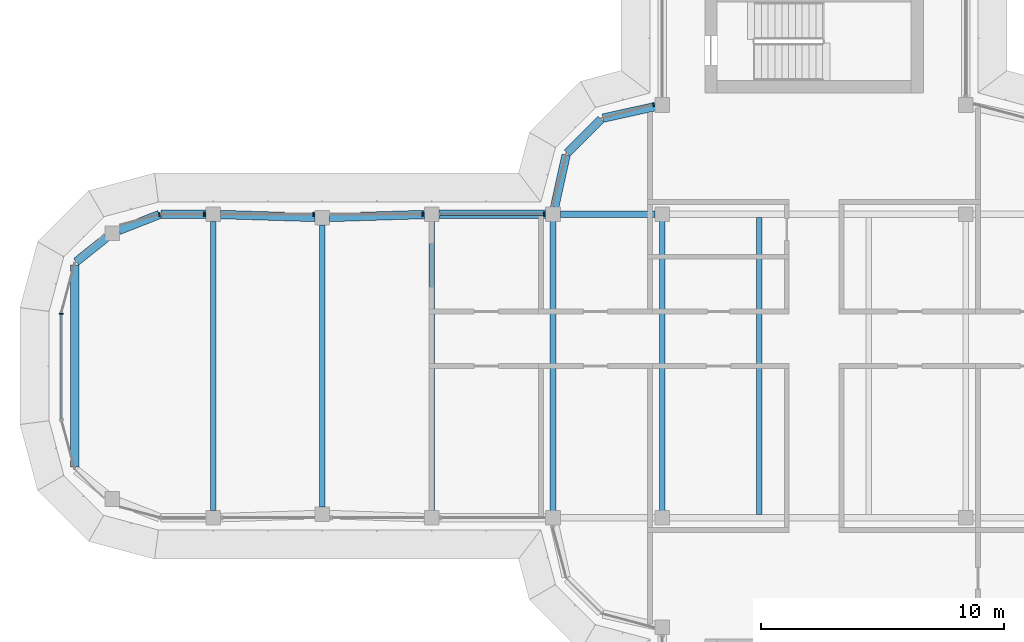
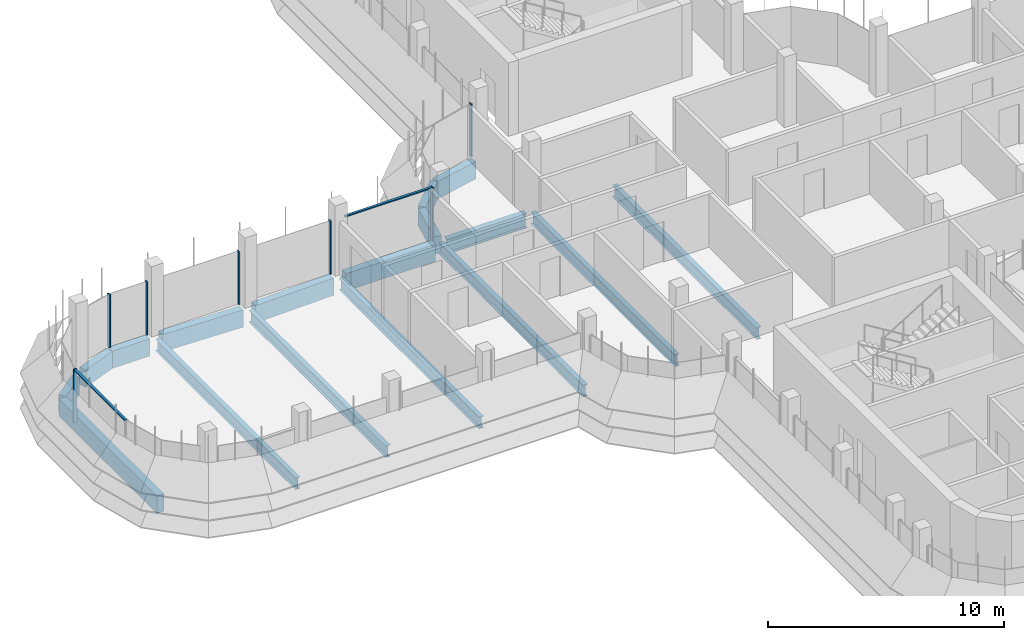
# One storey, part 6 of 19: 17 beams, 9 members, 4 elements without a shape of their own.
"""IFC4 building model written with IfcOpenShell, lengths in metres."""

import ifcopenshell
import ifcopenshell.guid

model = None  # the IFC model being written
_history = None  # IfcOwnerHistory: only IFC2X3 demands one
_inside = {}  # id of a spatial element -> (the spatial element, [elements in it])
_under = {}  # id of a project, library or spatial element -> (it, [spatial elements below it])
_declared = {}  # id of a project -> (the project, [libraries it declares])
_typed = {}  # id of a type object -> (the type object, [elements of that type])
_made_of = {}  # id of a material, layer set ... -> (it, [elements and type objects made of it])


def new_model(schema):
    """Start an empty IFC model of exactly this schema.

    Asked for "IFC4X3", IfcOpenShell would pick the latest addendum, in which some entities
    have other attributes; the version numbers below select the first issue.
    IFC2X3 requires an IfcOwnerHistory on every rooted entity: one is made here for all.
    """
    global model, _history
    if schema == "IFC4X3":
        model = ifcopenshell.file(schema_version=(4, 3, 0, 0))
    else:
        model = ifcopenshell.file(schema=schema)
    _inside.clear()
    _under.clear()
    _declared.clear()
    _typed.clear()
    _made_of.clear()
    _history = None
    if model.schema == "IFC2X3":
        org = make("IfcOrganization", Name="unknown")
        user = make(
            "IfcPersonAndOrganization",
            ThePerson=make("IfcPerson", FamilyName="unknown"),
            TheOrganization=org,
        )
        app = make(
            "IfcApplication",
            ApplicationDeveloper=org,
            Version="unknown",
            ApplicationFullName="unknown",
            ApplicationIdentifier="unknown",
        )
        _history = make(
            "IfcOwnerHistory",
            OwningUser=user,
            OwningApplication=app,
            ChangeAction="ADDED",
            CreationDate=0,
        )
    return model


def make(cls, **values):
    """One entity of the class cls with the attributes given. An attribute that is None is left unset."""
    return model.create_entity(
        cls, **{name: value for name, value in values.items() if value is not None}
    )


def rooted(cls, **values):
    """An entity with a GlobalId (a new one), such as an element, a storey or a relation."""
    return make(cls, GlobalId=ifcopenshell.guid.new(), OwnerHistory=_history, **values)


def si_unit(unit_type, name, prefix=None):
    """IfcSIUnit, for example si_unit("LENGTHUNIT", "METRE", prefix="MILLI")."""
    return make("IfcSIUnit", UnitType=unit_type, Prefix=prefix, Name=name)


def assignment(units):
    """IfcUnitAssignment: the units of a project."""
    return None if units is None else make("IfcUnitAssignment", Units=units)


def point(xyz):
    """IfcCartesianPoint."""
    return None if xyz is None else make("IfcCartesianPoint", Coordinates=xyz)


def direction(xyz):
    """IfcDirection."""
    return None if xyz is None else make("IfcDirection", DirectionRatios=xyz)


def frame(location, z_axis=None, x_axis=None):
    """IfcAxis2Placement3D, a coordinate frame: its origin and axes. An axis left out is left unset."""
    return make(
        "IfcAxis2Placement3D",
        Location=point(location),
        Axis=direction(z_axis),
        RefDirection=direction(x_axis),
    )


def frame_2d(location, x_axis=None):
    """IfcAxis2Placement2D, a coordinate frame in the plane: its origin and x axis."""
    return make(
        "IfcAxis2Placement2D", Location=point(location), RefDirection=direction(x_axis)
    )


def origin():
    """The frame at (0, 0, 0) with its axes left unset."""
    return frame((0.0, 0.0, 0.0))


def origin_2d():
    """The frame at (0, 0) in the plane with its x axis left unset."""
    return frame_2d((0.0, 0.0))


def place(relative_to, where):
    """IfcLocalPlacement: puts the frame where relative to a parent placement (None: the world)."""
    return make(
        "IfcLocalPlacement", PlacementRelTo=relative_to, RelativePlacement=where
    )


def context(
    kind, dimensions, precision=None, world=None, true_north=None, identifier=None
):
    """IfcGeometricRepresentationContext, for example the 3D "Model" context."""
    return make(
        "IfcGeometricRepresentationContext",
        ContextIdentifier=identifier,
        ContextType=kind,
        CoordinateSpaceDimension=dimensions,
        Precision=precision,
        WorldCoordinateSystem=world,
        TrueNorth=true_north,
    )


def subcontext(parent, identifier, kind, view, scale=None):
    """IfcGeometricRepresentationSubContext, for example "Body" below "Model"."""
    return make(
        "IfcGeometricRepresentationSubContext",
        ContextIdentifier=identifier,
        ContextType=kind,
        ParentContext=parent,
        TargetScale=scale,
        TargetView=view,
    )


def project(units=None, contexts=None):
    """IfcProject with its units and contexts."""
    return rooted(
        "IfcProject",
        Name="project",
        RepresentationContexts=contexts,
        UnitsInContext=assignment(units),
    )


def spatial(cls, under=None, at=None, **own):
    """A site, building, storey or space (cls), placed at a placement, below another one or the project."""
    s = rooted(cls, ObjectPlacement=at, **own)
    if under is not None:
        _under.setdefault(under.id(), (under, []))[1].append(s)
    return s


def polyline(points):
    """IfcPolyline through the points."""
    return make("IfcPolyline", Points=[point(p) for p in points])


def profile(cls, at=None, kind="AREA", **sizes):
    """A parametric profile (cls). Its sizes go by their IFC names, for example OverallWidth=200.0."""
    return make(cls, ProfileType=kind, Position=at, **sizes)


def rectangle(**sizes):
    """IfcRectangleProfileDef."""
    return profile("IfcRectangleProfileDef", **sizes)


def i_section(**sizes):
    """IfcIShapeProfileDef."""
    return profile("IfcIShapeProfileDef", **sizes)


def outline(outer, holes=None, kind="AREA"):
    """IfcArbitraryClosedProfileDef: a profile drawn as a closed curve; with holes, ...WithVoids."""
    if holes is None:
        return make("IfcArbitraryClosedProfileDef", ProfileType=kind, OuterCurve=outer)
    return make(
        "IfcArbitraryProfileDefWithVoids",
        ProfileType=kind,
        OuterCurve=outer,
        InnerCurves=holes,
    )


def extrude(swept, where, along, depth):
    """IfcExtrudedAreaSolid: the profile swept, set in the frame where, extruded along a direction by depth."""
    return make(
        "IfcExtrudedAreaSolid",
        SweptArea=swept,
        Position=where,
        ExtrudedDirection=direction(along),
        Depth=depth,
    )


def shape(context_of_items, identifier, shape_type, items):
    """IfcShapeRepresentation: the items that make up one representation, for example the "Body"."""
    return make(
        "IfcShapeRepresentation",
        ContextOfItems=context_of_items,
        RepresentationIdentifier=identifier,
        RepresentationType=shape_type,
        Items=items,
    )


def source(mapping_origin, context_of_items, identifier, shape_type, items):
    """IfcRepresentationMap: a shape defined once, which mapped items show again and again."""
    return make(
        "IfcRepresentationMap",
        MappingOrigin=mapping_origin,
        MappedRepresentation=shape(context_of_items, identifier, shape_type, items),
    )


def transform(
    local_origin,
    x_axis=None,
    y_axis=None,
    z_axis=None,
    scale=None,
    scale2=None,
    scale3=None,
    uniform=True,
):
    """IfcCartesianTransformationOperator3D, or its non-uniform kind. x_axis, y_axis, z_axis: its Axis1, 2, 3."""
    if uniform:
        return make(
            "IfcCartesianTransformationOperator3D",
            Axis1=direction(x_axis),
            Axis2=direction(y_axis),
            LocalOrigin=point(local_origin),
            Scale=scale,
            Axis3=direction(z_axis),
        )
    return make(
        "IfcCartesianTransformationOperator3DnonUniform",
        Axis1=direction(x_axis),
        Axis2=direction(y_axis),
        LocalOrigin=point(local_origin),
        Scale=scale,
        Axis3=direction(z_axis),
        Scale2=scale2,
        Scale3=scale3,
    )


def mapped(mapping_source, mapping_target):
    """IfcMappedItem: shows the shape of a source again, moved by a transform."""
    return make(
        "IfcMappedItem", MappingSource=mapping_source, MappingTarget=mapping_target
    )


def material(Name=None, Category=None):
    """IfcMaterial."""
    return make("IfcMaterial", Name=Name, Category=Category)


def material_profile(
    of_material, cross_section, Name=None, Category=None, Priority=None
):
    """IfcMaterialProfile: a cross section and its material."""
    return make(
        "IfcMaterialProfile",
        Name=Name,
        Material=of_material,
        Profile=cross_section,
        Priority=Priority,
        Category=Category,
    )


def profile_set(profiles, Name=None, composite=None):
    """IfcMaterialProfileSet."""
    return make(
        "IfcMaterialProfileSet",
        Name=Name,
        MaterialProfiles=profiles,
        CompositeProfile=composite,
    )


def made_of(thing, what):
    """Note that an element or type object is made of a material, layer set ...; save() writes the relation."""
    if what is not None:
        _made_of.setdefault(what.id(), (what, []))[1].append(thing)
    return thing


def type_object(cls, material=None, **own):
    """A type object (cls), such as IfcWallType, which elements share."""
    return made_of(rooted(cls, **own), material)


def element(
    cls,
    number,
    at=None,
    inside=None,
    cuts=None,
    type_object=None,
    material=None,
    context=None,
    identifier="Body",
    shape_type=None,
    held_by="IfcProductDefinitionShape",
    body=None,
    shapes=None,
    **own,
):
    """One element of the class cls, such as IfcWall. Its Tag is "e" and its number.

    at: its placement. inside: the storey or other place that contains it. cuts: it is an
    opening in that element (IfcRelVoidsElement). A single representation is given by context,
    identifier, shape_type and body (its items); several are given by shapes. held_by: the class
    of the entity that holds the representations. save() writes the other relations.
    """
    e = rooted(cls, Tag="e%d" % number, ObjectPlacement=at, **own)
    if body is not None:
        shapes = [shape(context, identifier, shape_type, body)]
    if shapes is not None:
        e.Representation = make(held_by, Representations=shapes)
    if inside is not None:
        _inside.setdefault(inside.id(), (inside, []))[1].append(e)
    if cuts is not None:
        rooted(
            "IfcRelVoidsElement", RelatingBuildingElement=cuts, RelatedOpeningElement=e
        )
    if type_object is not None:
        _typed.setdefault(type_object.id(), (type_object, []))[1].append(e)
    return made_of(e, material)


def aggregate(whole, parts):
    """IfcRelAggregates: a whole, such as a stair, and the parts it consists of."""
    return rooted("IfcRelAggregates", RelatingObject=whole, RelatedObjects=parts)


def save(model, path):
    """Write the relations noted so far, then the file.

    IfcRelAggregates (storeys below a building ...), IfcRelContainedInSpatialStructure (elements
    in a storey), IfcRelDefinesByType, IfcRelAssociatesMaterial and IfcRelDeclares: one each for
    every whole, place, type object, material and project.
    """
    for whole, parts in _under.values():
        aggregate(whole, parts)
    for where, things in _inside.values():
        rooted(
            "IfcRelContainedInSpatialStructure",
            RelatedElements=things,
            RelatingStructure=where,
        )
    for kind, things in _typed.values():
        rooted("IfcRelDefinesByType", RelatedObjects=things, RelatingType=kind)
    for what, things in _made_of.values():
        rooted("IfcRelAssociatesMaterial", RelatedObjects=things, RelatingMaterial=what)
    for by, libraries in _declared.values():
        rooted("IfcRelDeclares", RelatingContext=by, RelatedDefinitions=libraries)
    model.write(path)


model = new_model("IFC4")

# Units and contexts
model_context = context("Model", 3, precision=1e-05, world=origin(), true_north=direction((0.0, 1.0)))
body_context = subcontext(model_context, "Body", "Model", "MODEL_VIEW")
ifc_project = project(units=[si_unit("LENGTHUNIT", "METRE"), si_unit("AREAUNIT", "SQUARE_METRE"), si_unit("VOLUMEUNIT", "CUBIC_METRE"), si_unit("PLANEANGLEUNIT", "RADIAN"), si_unit("MASSUNIT", "GRAM", prefix="KILO")], contexts=[model_context])

# Site, building, storey
site_placement = place(None, origin())
site = spatial("IfcSite", under=ifc_project, at=site_placement, CompositionType="ELEMENT")
building_placement = place(site_placement, origin())
building = spatial("IfcBuilding", under=site, at=building_placement, Name="Zarbagh Exchange Tower", CompositionType="ELEMENT")
storey_placement = place(building_placement, frame((0.0, 0.0, 261.199951171875)))
storey = spatial("IfcBuildingStorey", under=building, at=storey_placement, Name="L64", CompositionType="ELEMENT", Elevation=261.199951171875)

# Beams
ifc_material_1 = material(Name="Steel ASTM A992 Gr 50", Category="steel")
ifc_material_profile_1 = material_profile(ifc_material_1, i_section(OverallWidth=0.228271484375, OverallDepth=0.607177734375, WebThickness=0.01123046875, FlangeThickness=0.017333984375, at=origin_2d()), Name="W24X76")
ifc_profile_set_1 = profile_set([ifc_material_profile_1], Name="Steel ASTM A992 Gr 50")
beam_type_1 = type_object("IfcBeamType", Name="Floor beam W24X76", PredefinedType="BEAM", material=ifc_profile_set_1)
for number, where, z_axis, x_axis, name in (
    (1, (-10.75, -6.11669921875, -0.453369140625), (0.0, 1.0, 0.0), (-1.0, 0.0, 0.0), "Steel floor beam"),
    (2, (-6.25, -6.11669921875, -0.453369140625), (0.0, 1.0, 0.0), (-1.0, 0.0, 0.0), "Steel floor beam"),
    (3, (-2.25, -6.11669921875, -0.453369140625), (0.0, 1.0, 0.0), (-1.0, 0.0, 0.0), "Steel floor beam"),
):
    element("IfcBeam", number, at=place(storey_placement, frame(where, z_axis=z_axis, x_axis=x_axis)), inside=storey, type_object=beam_type_1, Name=name, PredefinedType="BEAM", context=body_context, shape_type="SweptSolid", body=[
        extrude(i_section(OverallWidth=0.228271484375, OverallDepth=0.607177734375, WebThickness=0.01123046875, FlangeThickness=0.017333984375, at=origin_2d()), origin(), (0.0, 0.0, 1.0), 12.2333984375),
    ])
beam_1_placement = place(storey_placement, frame((-15.75, -5.949951171875, -0.453369140625), z_axis=(0.0, 1.0, 0.0), x_axis=(-1.0, 0.0, 0.0)))
element("IfcBeam", 4, at=beam_1_placement, inside=storey, type_object=beam_type_1, Name="Steel floor beam", PredefinedType="BEAM", context=body_context, shape_type="SweptSolid", body=[
    extrude(i_section(OverallWidth=0.228271484375, OverallDepth=0.607177734375, WebThickness=0.01123046875, FlangeThickness=0.017333984375, at=origin_2d()), origin(), (0.0, 0.0, 1.0), 11.89990234375),
])
beam_2_placement = place(storey_placement, frame((-20.25, -5.81005859375, -0.453369140625), z_axis=(0.0, 1.0, 0.0), x_axis=(-1.0, 0.0, 0.0)))
element("IfcBeam", 5, at=beam_2_placement, inside=storey, type_object=beam_type_1, Name="Steel floor beam", PredefinedType="BEAM", context=body_context, shape_type="SweptSolid", body=[
    extrude(i_section(OverallWidth=0.228271484375, OverallDepth=0.607177734375, WebThickness=0.01123046875, FlangeThickness=0.017333984375, at=origin_2d()), origin(), (0.0, 0.0, 1.0), 11.6201171875),
])
beam_3_placement = place(storey_placement, frame((-24.75, -5.949951171875, -0.453369140625), z_axis=(0.0, 1.0, 0.0), x_axis=(-1.0, 0.0, 0.0)))
element("IfcBeam", 6, at=beam_3_placement, inside=storey, type_object=beam_type_1, Name="Steel floor beam", PredefinedType="BEAM", context=body_context, shape_type="SweptSolid", body=[
    extrude(i_section(OverallWidth=0.228271484375, OverallDepth=0.607177734375, WebThickness=0.01123046875, FlangeThickness=0.017333984375, at=origin_2d()), origin(), (0.0, 0.0, 1.0), 11.89990234375),
])
ifc_material_profile_2 = material_profile(ifc_material_1, i_section(OverallWidth=0.2666015625, OverallDepth=0.7568359375, WebThickness=0.013916015625, FlangeThickness=0.019287109375, at=origin_2d()), Name="W30X108")
ifc_profile_set_2 = profile_set([ifc_material_profile_2], Name="Steel ASTM A992 Gr 50")
beam_type_2 = type_object("IfcBeamType", Name="Floor girder W30X108", PredefinedType="BEAM", material=ifc_profile_set_2)
beam_4_placement = place(storey_placement, frame((-10.449951171875, 6.25, -0.5283203125), z_axis=(1.0, 0.0, 0.0), x_axis=(0.0, 1.0, 0.0)))
element("IfcBeam", 7, at=beam_4_placement, inside=storey, type_object=beam_type_2, Name="Steel girder", PredefinedType="BEAM", context=body_context, shape_type="SweptSolid", body=[
    extrude(i_section(OverallWidth=0.2666015625, OverallDepth=0.7568359375, WebThickness=0.013916015625, FlangeThickness=0.019287109375, at=origin_2d()), origin(), (0.0, 0.0, 1.0), 3.89990234375),
])
ifc_material_2 = material(Name="Concrete C40/50", Category="concrete")
ifc_material_profile_3 = material_profile(ifc_material_2, rectangle(XDim=0.35009765625, YDim=0.89990234375, at=origin_2d()), Name="RC spandrel beam 350 x 900 C40/50")
ifc_profile_set_3 = profile_set([ifc_material_profile_3], Name="Concrete C40/50")
beam_type_3 = type_object("IfcBeamType", Name="RC spandrel beam 350 x 900 C40/50", PredefinedType="SPANDREL", material=ifc_profile_set_3)
beam_5_placement = place(storey_placement, frame((-30.44873046875, -4.156982421875, -0.599853515625), z_axis=(0.0, 1.0, 0.0), x_axis=(-1.0, 0.0, 0.0)))
element("IfcBeam", 8, at=beam_5_placement, inside=storey, type_object=beam_type_3, Name="RC spandrel beam", PredefinedType="SPANDREL", context=body_context, shape_type="SweptSolid", body=[
    extrude(rectangle(XDim=0.35009765625, YDim=0.89990234375, at=origin_2d()), origin(), (0.0, 0.0, 1.0), 8.31396484375),
])
beam_6_placement = place(storey_placement, frame((-30.38330078125, 4.293701171875, -0.599853515625), z_axis=(0.780584122498, 0.625050740104, 0.0), x_axis=(-0.625050740104, 0.780584122498, 0.0)))
element("IfcBeam", 9, at=beam_6_placement, inside=storey, type_object=beam_type_3, Name="RC spandrel beam", PredefinedType="SPANDREL", context=body_context, shape_type="SweptSolid", body=[
    extrude(rectangle(XDim=0.35009765625, YDim=0.89990234375, at=origin_2d()), origin(), (0.0, 0.0, 1.0), 1.590087890625),
])
beam_7_placement = place(storey_placement, frame((-28.62890625, 5.584716796875, -0.599853515625), z_axis=(0.930859366381, 0.365377667655, 0.0), x_axis=(-0.365377667655, 0.930859366381, 0.0)))
element("IfcBeam", 10, at=beam_7_placement, inside=storey, type_object=beam_type_3, Name="RC spandrel beam", PredefinedType="SPANDREL", context=body_context, shape_type="SweptSolid", body=[
    extrude(rectangle(XDim=0.35009765625, YDim=0.89990234375, at=origin_2d()), origin(), (0.0, 0.0, 1.0), 1.787353515625),
])
beam_8_placement = place(storey_placement, frame((-26.90087890625, 6.25, -0.599853515625), z_axis=(1.0, 0.0, 0.0), x_axis=(0.0, 1.0, 0.0)))
element("IfcBeam", 11, at=beam_8_placement, inside=storey, type_object=beam_type_3, Name="RC spandrel beam", PredefinedType="SPANDREL", context=body_context, shape_type="SweptSolid", body=[
    extrude(rectangle(XDim=0.35009765625, YDim=0.89990234375, at=origin_2d()), origin(), (0.0, 0.0, 1.0), 1.850830078125),
])
for number, where, z_axis, x_axis, name in (
    (12, (-24.4501953125, 6.24072265625, -0.599853515625), (0.999516460907, -0.031094121249, 0.0), (0.031094121249, 0.999516460907, 0.0), "RC spandrel beam"),
    (13, (-19.9501953125, 6.119384765625, -0.599853515625), (0.999516460907, 0.031094121249, 0.0), (-0.031094121249, 0.999516460907, 0.0), "RC spandrel beam"),
):
    element("IfcBeam", number, at=place(storey_placement, frame(where, z_axis=z_axis, x_axis=x_axis)), inside=storey, type_object=beam_type_3, Name=name, PredefinedType="SPANDREL", context=body_context, shape_type="SweptSolid", body=[
        extrude(rectangle(XDim=0.35009765625, YDim=0.89990234375, at=origin_2d()), origin(), (0.0, 0.0, 1.0), 3.90234375),
    ])
beam_9_placement = place(storey_placement, frame((-15.449951171875, 6.25, -0.599853515625), z_axis=(1.0, 0.0, 0.0), x_axis=(0.0, 1.0, 0.0)))
element("IfcBeam", 14, at=beam_9_placement, inside=storey, type_object=beam_type_3, Name="RC spandrel beam", PredefinedType="SPANDREL", context=body_context, shape_type="SweptSolid", body=[
    extrude(rectangle(XDim=0.35009765625, YDim=0.89990234375, at=origin_2d()), origin(), (0.0, 0.0, 1.0), 4.39990234375),
])
beam_10_placement = place(storey_placement, frame((-10.685302734375, 6.54296875, -0.599853515625), z_axis=(0.216025770228, 0.976387662047, 0.0), x_axis=(-0.976387662047, 0.216025770228, 0.0)))
element("IfcBeam", 15, at=beam_10_placement, inside=storey, type_object=beam_type_3, Name="RC spandrel beam", PredefinedType="SPANDREL", context=body_context, shape_type="SweptSolid", body=[
    extrude(rectangle(XDim=0.35009765625, YDim=0.89990234375, at=origin_2d()), origin(), (0.0, 0.0, 1.0), 2.200439453125),
])
beam_11_placement = place(storey_placement, frame((-10.16259765625, 8.77734375, -0.599853515625), z_axis=(0.707106781187, 0.707106781187, 0.0), x_axis=(-0.707106781187, 0.707106781187, 0.0)))
element("IfcBeam", 16, at=beam_11_placement, inside=storey, type_object=beam_type_3, Name="RC spandrel beam", PredefinedType="SPANDREL", context=body_context, shape_type="SweptSolid", body=[
    extrude(rectangle(XDim=0.35009765625, YDim=0.89990234375, at=origin_2d()), origin(), (0.0, 0.0, 1.0), 1.958984375),
])
beam_12_placement = place(storey_placement, frame((-8.69140625, 10.2099609375, -0.599853515625), z_axis=(0.976387662047, 0.216025770228, 0.0), x_axis=(-0.216025770228, 0.976387662047, 0.0)))
element("IfcBeam", 17, at=beam_12_placement, inside=storey, type_object=beam_type_3, Name="RC spandrel beam", PredefinedType="SPANDREL", context=body_context, shape_type="SweptSolid", body=[
    extrude(rectangle(XDim=0.35009765625, YDim=0.89990234375, at=origin_2d()), origin(), (0.0, 0.0, 1.0), 2.200439453125),
])

# Curtain wall, member
ifc_material_3 = material(Name="Anodised aluminium frame and glazing", Category="aluminium")
curtain_wall_type = type_object("IfcCurtainWallType", Name="CWB Ribbon glazing, upper zones", PredefinedType="NOTDEFINED", material=ifc_material_3)
curtain_wall_1_placement = place(storey_placement, origin())
curtain_wall_1 = element("IfcCurtainWall", 18, at=curtain_wall_1_placement, inside=storey, type_object=curtain_wall_type, Name="CWB29 curtain wall", PredefinedType="NOTDEFINED")
ifc_material_4 = material(Name="Anodised aluminium frame", Category="aluminium")
member_type_1 = type_object("IfcMemberType", Name="MUB Mullion, anodised aluminium frame", PredefinedType="MULLION", material=ifc_material_4)
shared_shape_1 = source(origin(), body_context, "Body", "SweptSolid", [
    extrude(outline(polyline([(0.0, -0.080078125), (0.06005859375, -0.080078125), (0.06005859375, 0.080078125), (0.0, 0.080078125), (0.0, -0.080078125)])), origin(), (0.0, 0.0, 1.0), 2.75),
])
placement = place(storey_placement, origin())
member_1 = element("IfcMember", 19, at=placement, type_object=member_type_1, Name="CWB29 mullion 1.1", PredefinedType="MULLION", context=body_context, shape_type="MappedRepresentation", body=[
    mapped(shared_shape_1, transform((-6.590087890625, 10.775146484375, 0.0), x_axis=(-0.965924289636, -0.258824779902, 0.0), y_axis=(0.258824779902, -0.965924289636, 0.0), z_axis=(0.0, 0.0, 1.0))),
])
aggregate(curtain_wall_1, [member_1])

# Curtain wall, members
curtain_wall_2_placement = place(storey_placement, origin())
curtain_wall_2 = element("IfcCurtainWall", 20, at=curtain_wall_2_placement, inside=storey, type_object=curtain_wall_type, Name="CWB58 curtain wall", PredefinedType="NOTDEFINED")
member_2 = element("IfcMember", 21, at=placement, type_object=member_type_1, Name="CWB58 mullion 1.1", PredefinedType="MULLION", context=body_context, shape_type="MappedRepresentation", body=[
    mapped(shared_shape_1, transform((-11.090087890625, 6.25, 0.0), x_axis=(-1.0, 0.0, 0.0), y_axis=(0.0, -1.0, 0.0), z_axis=(0.0, 0.0, 1.0))),
])
member_3 = element("IfcMember", 22, at=placement, type_object=member_type_1, Name="CWB58 mullion 2.1", PredefinedType="MULLION", context=body_context, shape_type="MappedRepresentation", body=[
    mapped(shared_shape_1, transform((-16.090087890625, 6.25, 0.0), x_axis=(-1.0, 0.0, 0.0), y_axis=(0.0, -1.0, 0.0), z_axis=(0.0, 0.0, 1.0))),
])
member_4 = element("IfcMember", 23, at=placement, type_object=member_type_1, Name="CWB58 mullion 3.1", PredefinedType="MULLION", context=body_context, shape_type="MappedRepresentation", body=[
    mapped(shared_shape_1, transform((-20.590087890625, 6.25, 0.0), x_axis=(-1.0, 0.0, 0.0), y_axis=(0.0, -1.0, 0.0), z_axis=(0.0, 0.0, 1.0))),
])
member_5 = element("IfcMember", 24, at=placement, type_object=member_type_1, Name="CWB58 mullion 4.1", PredefinedType="MULLION", context=body_context, shape_type="MappedRepresentation", body=[
    mapped(shared_shape_1, transform((-25.090087890625, 6.25, 0.0), x_axis=(-1.0, 0.0, 0.0), y_axis=(0.0, -1.0, 0.0), z_axis=(0.0, 0.0, 1.0))),
])

# Curtain wall, member
curtain_wall_3_placement = place(storey_placement, origin())
curtain_wall_3 = element("IfcCurtainWall", 25, at=curtain_wall_3_placement, inside=storey, type_object=curtain_wall_type, Name="CWB59 curtain wall", PredefinedType="NOTDEFINED")
member_6 = element("IfcMember", 26, at=placement, type_object=member_type_1, Name="CWB59 mullion 1.1", PredefinedType="MULLION", context=body_context, shape_type="MappedRepresentation", body=[
    mapped(shared_shape_1, transform((-26.93408203125, 6.25, 0.0), x_axis=(-0.965924289636, -0.258824779902, 0.0), y_axis=(0.258824779902, -0.965924289636, 0.0), z_axis=(0.0, 0.0, 1.0))),
])
aggregate(curtain_wall_3, [member_6])

# Curtain wall, members
curtain_wall_4_placement = place(storey_placement, origin())
curtain_wall_4 = element("IfcCurtainWall", 27, at=curtain_wall_4_placement, inside=storey, type_object=curtain_wall_type, Name="CWB66 curtain wall", PredefinedType="NOTDEFINED")
member_7 = element("IfcMember", 28, at=placement, type_object=member_type_1, Name="CWB66 mullion 1.1", PredefinedType="MULLION", context=body_context, shape_type="MappedRepresentation", body=[
    mapped(shared_shape_1, transform((-31.0, 2.18408203125, 0.0), x_axis=(0.0, -1.0, 0.0), y_axis=(1.0, 0.0, 0.0), z_axis=(0.0, 0.0, 1.0))),
])
member_type_2 = type_object("IfcMemberType", Name="TRB Transom, anodised aluminium frame", PredefinedType="USERDEFINED", material=ifc_material_4)
shared_shape_2 = source(origin(), body_context, "Body", "SweptSolid", [
    extrude(outline(polyline([(-0.06005859375, -0.06005859375), (0.0, -0.06005859375), (0.0, 0.06005859375), (-0.06005859375, 0.06005859375), (-0.06005859375, -0.06005859375)])), origin(), (0.0, 0.0, 1.0), 4.308349609375),
])
member_8 = element("IfcMember", 29, at=placement, type_object=member_type_2, Name="CWB66 transom 1.1", ObjectType="TRANSOM", PredefinedType="USERDEFINED", context=body_context, shape_type="MappedRepresentation", body=[
    mapped(shared_shape_2, transform((-31.0, 2.124267578125, 2.75), x_axis=(0.0, 0.0, 1.0), y_axis=(-1.0, 0.0, 0.0), z_axis=(0.0, -1.0, 0.0))),
])
aggregate(curtain_wall_4, [member_7, member_8])

# Member
shared_shape_3 = source(origin(), body_context, "Body", "SweptSolid", [
    extrude(outline(polyline([(-0.06005859375, -0.06005859375), (0.0, -0.06005859375), (0.0, 0.06005859375), (-0.06005859375, 0.06005859375), (-0.06005859375, -0.06005859375)])), origin(), (0.0, 0.0, 1.0), 4.260009765625),
])
member_9 = element("IfcMember", 30, at=placement, type_object=member_type_2, Name="CWB58 transom 1.1", ObjectType="TRANSOM", PredefinedType="USERDEFINED", context=body_context, shape_type="MappedRepresentation", body=[
    mapped(shared_shape_3, transform((-11.150146484375, 6.25, 2.75), x_axis=(0.0, 0.0, 1.0), y_axis=(0.0, 1.0, 0.0), z_axis=(-1.0, 0.0, 0.0))),
])

aggregate(curtain_wall_2, [member_2, member_9, member_3, member_4, member_5])

save(model, "model.ifc")
